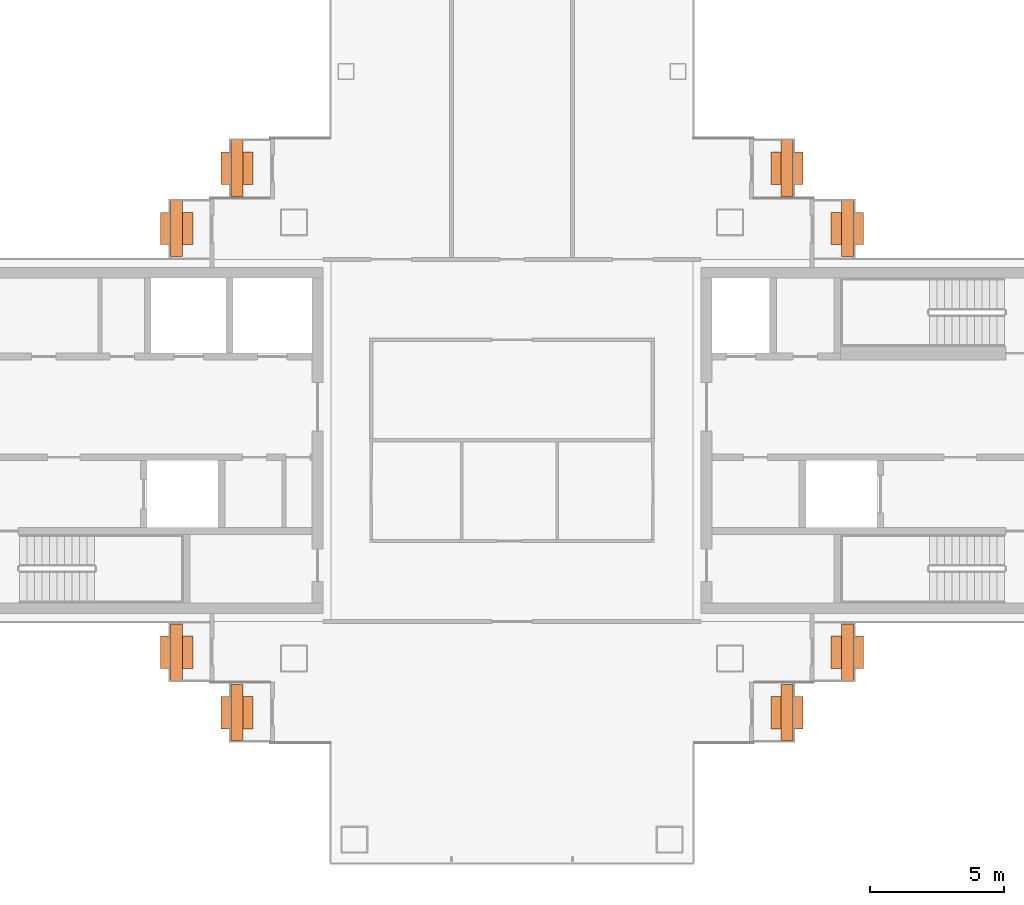
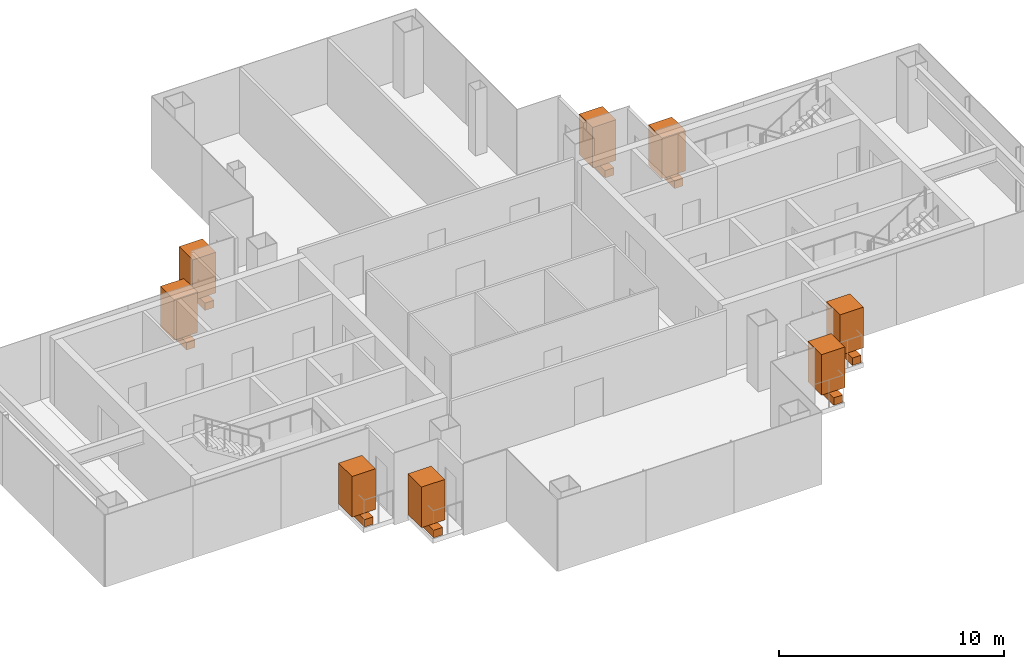
# One storey, part 16 of 16: 8 geographic elements, 8 proxies.
"""IFC4 building model written with IfcOpenShell, lengths in metres."""

from ifc_helpers import new_model, si_unit, direction, frame, origin, origin_2d, place, context, subcontext, project, spatial, rectangle, extrude, material, type_object, element, save


model = new_model("IFC4")

# Units and contexts
model_context = context("Model", 3, precision=1e-05, world=origin(), true_north=direction((0.0, 1.0)))
body_context = subcontext(model_context, "Body", "Model", "MODEL_VIEW")
ifc_project = project(units=[si_unit("LENGTHUNIT", "METRE"), si_unit("AREAUNIT", "SQUARE_METRE"), si_unit("VOLUMEUNIT", "CUBIC_METRE"), si_unit("PLANEANGLEUNIT", "RADIAN"), si_unit("MASSUNIT", "GRAM", prefix="KILO")], contexts=[model_context])

# Site, building, storey
site_placement = place(None, origin())
site = spatial("IfcSite", under=ifc_project, at=site_placement, CompositionType="ELEMENT")
building_placement = place(site_placement, origin())
building = spatial("IfcBuilding", under=site, at=building_placement, Name="Shamsa Quay Exchange Towers", CompositionType="ELEMENT")
storey_placement = place(building_placement, frame((0.0, 0.0, 190.5)))
storey = spatial("IfcBuildingStorey", under=building, at=storey_placement, Name="L45", CompositionType="ELEMENT", Elevation=190.5)

# Proxies
ifc_material_1 = material(Name="Reinforced concrete C30/37, black glass-fibre faced", Category="concrete")
building_element_proxy_type = type_object("IfcBuildingElementProxyType", Name="BALCONY PLANTER", PredefinedType="USERDEFINED", material=ifc_material_1)
for number, where, z_axis, x_axis, name in (
    (1, (23.5048828125, 10.14404296875, 0.0), (0.0, 0.0, 1.0), (0.0, -1.0, 0.0), "PLANTER T2-PKEN L45"),
    (2, (21.2548828125, 7.89404296875, 0.0), (0.0, 0.0, 1.0), (0.0, -1.0, 0.0), "PLANTER T2-PKEN L45"),
    (3, (43.9951171875, 10.14404296875, 0.0), (0.0, 0.0, 1.0), (0.0, 1.0, 0.0), "PLANTER T2-PKES L45"),
    (4, (46.2451171875, 7.89404296875, 0.0), (0.0, 0.0, 1.0), (0.0, 1.0, 0.0), "PLANTER T2-PKES L45"),
    (5, (21.2548828125, -7.89404296875, 0.0), (0.0, 0.0, 1.0), (0.0, -1.0, 0.0), "PLANTER T2-PKWN L45"),
    (6, (23.5048828125, -10.14404296875, 0.0), (0.0, 0.0, 1.0), (0.0, -1.0, 0.0), "PLANTER T2-PKWN L45"),
    (7, (43.9951171875, -10.14404296875, 0.0), (0.0, 0.0, 1.0), (0.0, 1.0, 0.0), "PLANTER T2-PKWS L45"),
    (8, (46.2451171875, -7.89404296875, 0.0), (0.0, 0.0, 1.0), (0.0, 1.0, 0.0), "PLANTER T2-PKWS L45"),
):
    element("IfcBuildingElementProxy", number, at=place(storey_placement, frame(where, z_axis=z_axis, x_axis=x_axis)), inside=storey, type_object=building_element_proxy_type, Name=name, ObjectType="PLANTER", PredefinedType="USERDEFINED", context=body_context, shape_type="SweptSolid", body=[
        extrude(rectangle(XDim=2.092041015625, YDim=0.449951171875, at=origin_2d()), origin(), (0.0, 0.0, 1.0), 0.39990234375),
    ])

# Geographic elements
ifc_material_2 = material(Name="Planting")
geographic_element_type = type_object("IfcGeographicElementType", Name="BALCONY TREE", PredefinedType="USERDEFINED", material=ifc_material_2)
for number, where, z_axis, x_axis, name in (
    (9, (23.5048828125, 10.14404296875, 0.39990234375), (0.0, 0.0, 1.0), (0.0, -1.0, 0.0), "TREE T2-PKEN L45"),
    (10, (21.2548828125, 7.89404296875, 0.39990234375), (0.0, 0.0, 1.0), (0.0, -1.0, 0.0), "TREE T2-PKEN L45"),
    (11, (43.9951171875, 10.14404296875, 0.39990234375), (0.0, 0.0, 1.0), (0.0, 1.0, 0.0), "TREE T2-PKES L45"),
    (12, (46.2451171875, 7.89404296875, 0.39990234375), (0.0, 0.0, 1.0), (0.0, 1.0, 0.0), "TREE T2-PKES L45"),
    (13, (21.2548828125, -7.89404296875, 0.39990234375), (0.0, 0.0, 1.0), (0.0, -1.0, 0.0), "TREE T2-PKWN L45"),
    (14, (23.5048828125, -10.14404296875, 0.39990234375), (0.0, 0.0, 1.0), (0.0, -1.0, 0.0), "TREE T2-PKWN L45"),
    (15, (43.9951171875, -10.14404296875, 0.39990234375), (0.0, 0.0, 1.0), (0.0, 1.0, 0.0), "TREE T2-PKWS L45"),
    (16, (46.2451171875, -7.89404296875, 0.39990234375), (0.0, 0.0, 1.0), (0.0, 1.0, 0.0), "TREE T2-PKWS L45"),
):
    element("IfcGeographicElement", number, at=place(storey_placement, frame(where, z_axis=z_axis, x_axis=x_axis)), inside=storey, type_object=geographic_element_type, Name=name, ObjectType="TREE", PredefinedType="USERDEFINED", context=body_context, shape_type="SweptSolid", body=[
        extrude(rectangle(XDim=1.199951171875, YDim=1.199951171875, at=origin_2d()), origin(), (0.0, 0.0, 1.0), 2.199951171875),
    ])

save(model, "model.ifc")
